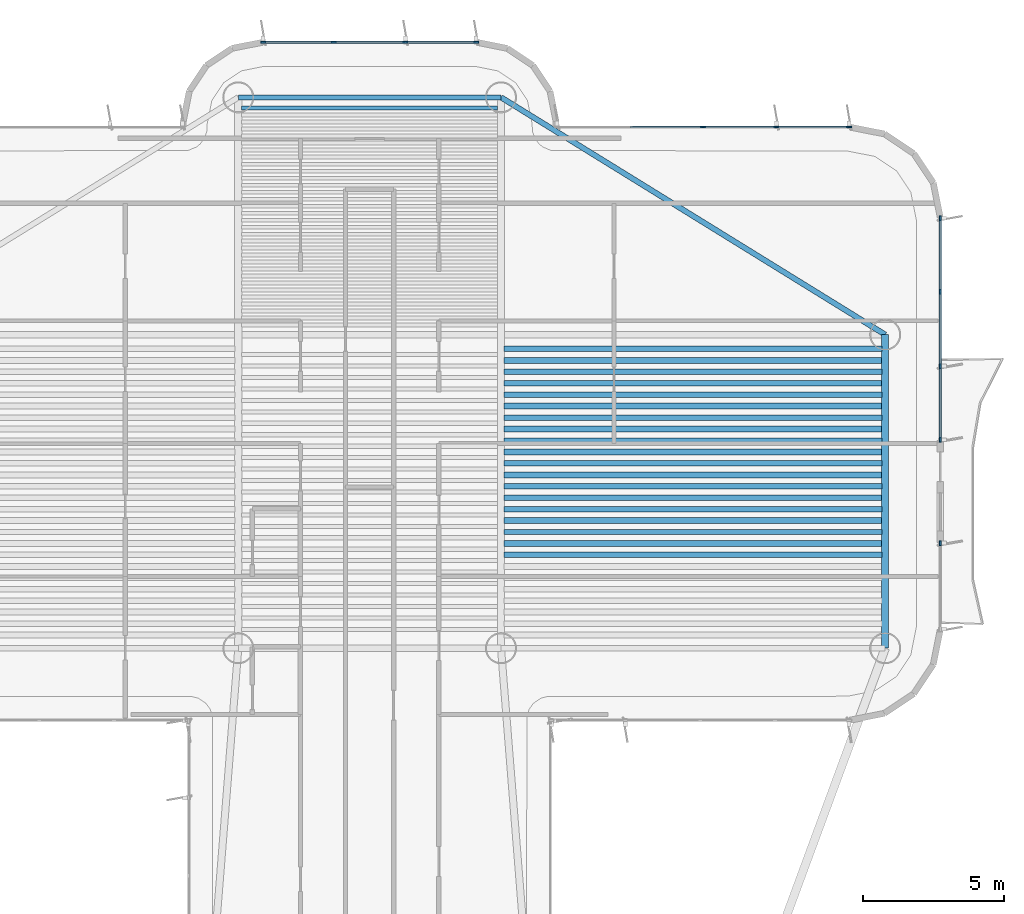
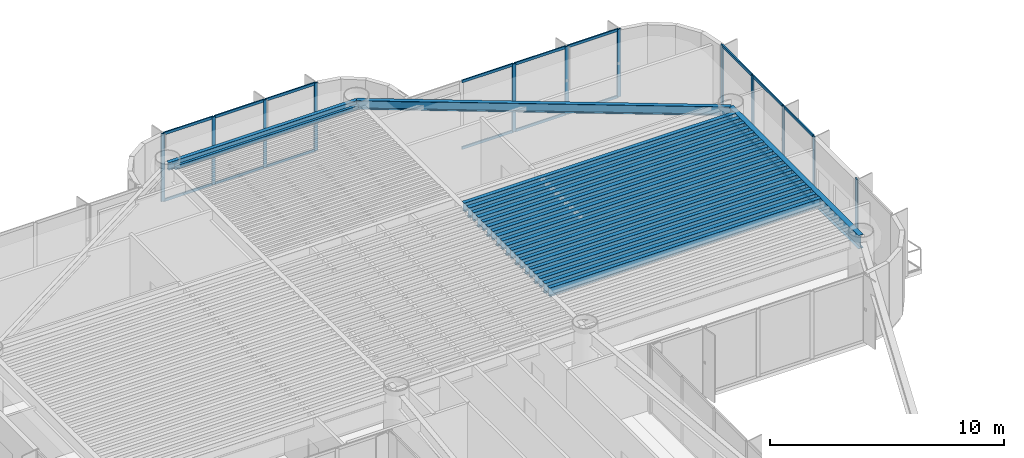
# One storey, part 7 of 14: 30 members, 23 beams, 4 elements without a shape of their own.
"""IFC4 building model written with IfcOpenShell, lengths in metres."""

from ifc_helpers import new_model, si_unit, direction, frame, origin, origin_2d, place, context, subcontext, project, spatial, rectangle, i_section, extrude, source, transform, mapped, material, layer, layer_set, material_profile, profile_set, type_object, element, aggregate, save


model = new_model("IFC4")

# Units and contexts
model_context = context("Model", 3, precision=1e-05, world=origin(), true_north=direction((0.0, 1.0)))
body_context = subcontext(model_context, "Body", "Model", "MODEL_VIEW")
ifc_project = project(units=[si_unit("LENGTHUNIT", "METRE"), si_unit("AREAUNIT", "SQUARE_METRE"), si_unit("VOLUMEUNIT", "CUBIC_METRE"), si_unit("PLANEANGLEUNIT", "RADIAN"), si_unit("MASSUNIT", "GRAM", prefix="KILO")], contexts=[model_context])

# Site, building, storey
site_placement = place(None, origin())
site = spatial("IfcSite", under=ifc_project, at=site_placement, CompositionType="ELEMENT")
building_placement = place(site_placement, origin())
building = spatial("IfcBuilding", under=site, at=building_placement, Name="Brelvock Crest Care Tower", CompositionType="ELEMENT")
storey_placement = place(building_placement, frame((0.0, 0.0, 201.780029296875)))
storey = spatial("IfcBuildingStorey", under=building, at=storey_placement, Name="L51", CompositionType="ELEMENT", Elevation=201.780029296875)

# Beams
ifc_material_1 = material(Name="Steel Grade 350", Category="steel")
ifc_material_profile_1 = material_profile(ifc_material_1, i_section(OverallWidth=0.177978515625, OverallDepth=0.406005859375, WebThickness=0.0078125, FlangeThickness=0.0126953125, FilletRadius=0.011474609375, at=origin_2d()), Name="410UB59.7")
ifc_profile_set_1 = profile_set([ifc_material_profile_1], Name="Steel Grade 350")
beam_type_1 = type_object("IfcBeamType", Name="BM-SP1", PredefinedType="SPANDREL", material=ifc_profile_set_1)
shared_shape_1 = source(origin(), body_context, "Body", "SweptSolid", [
    extrude(i_section(OverallWidth=0.177978515625, OverallDepth=0.406005859375, WebThickness=0.0078125, FlangeThickness=0.0126953125, FilletRadius=0.011474609375, at=origin_2d()), origin(), (0.0, 0.0, 1.0), 9.2998046875),
])
beam_1_placement = place(storey_placement, frame((31.35009765625, 54.449951171875, 3.326904296875), z_axis=(1.0, 0.0, 0.0), x_axis=(0.0, 1.0, 0.0)))
element("IfcBeam", 1, at=beam_1_placement, inside=storey, type_object=beam_type_1, Name="BM-TWR-L51-08", PredefinedType="SPANDREL", context=body_context, shape_type="MappedRepresentation", body=[
    mapped(shared_shape_1, transform((0.0, 0.0, 0.0), x_axis=(1.0, 0.0, 0.0), y_axis=(0.0, 1.0, 0.0), z_axis=(0.0, 0.0, 1.0), scale=1.0)),
])
ifc_material_profile_2 = material_profile(ifc_material_1, i_section(OverallWidth=0.134033203125, OverallDepth=0.20703125, WebThickness=0.00634765625, FlangeThickness=0.009521484375, FilletRadius=0.0087890625, at=origin_2d()), Name="200UB29.8")
ifc_profile_set_2 = profile_set([ifc_material_profile_2], Name="Steel Grade 350")
beam_type_2 = type_object("IfcBeamType", Name="BM-J4", PredefinedType="JOIST", material=ifc_profile_set_2)
shared_shape_2 = source(origin(), body_context, "Body", "SweptSolid", [
    extrude(i_section(OverallWidth=0.134033203125, OverallDepth=0.20703125, WebThickness=0.00634765625, FlangeThickness=0.009521484375, FilletRadius=0.0087890625, at=origin_2d()), origin(), (0.0, 0.0, 1.0), 9.06982421875),
])
beam_2_placement = place(storey_placement, frame((31.465087890625, 54.06787109375, 3.426513671875), z_axis=(1.0, 0.0, 0.0), x_axis=(0.0, 1.0, 0.0)))
element("IfcBeam", 2, at=beam_2_placement, inside=storey, type_object=beam_type_2, Name="BM-JN-L51-32", PredefinedType="JOIST", context=body_context, shape_type="MappedRepresentation", body=[
    mapped(shared_shape_2, transform((0.0, 0.0, 0.0), x_axis=(1.0, 0.0, 0.0), y_axis=(0.0, 1.0, 0.0), z_axis=(0.0, 0.0, 1.0), scale=1.0)),
])
ifc_material_profile_3 = material_profile(ifc_material_1, i_section(OverallWidth=0.208984375, OverallDepth=0.532958984375, WebThickness=0.01025390625, FlangeThickness=0.015625, FilletRadius=0.013916015625, at=origin_2d()), Name="530UB92.4")
ifc_profile_set_3 = profile_set([ifc_material_profile_3], Name="Steel Grade 350")
beam_type_3 = type_object("IfcBeamType", Name="BM-G2", PredefinedType="BEAM", material=ifc_profile_set_3)
shared_shape_3 = source(origin(), body_context, "Body", "SweptSolid", [
    extrude(i_section(OverallWidth=0.208984375, OverallDepth=0.532958984375, WebThickness=0.01025390625, FlangeThickness=0.015625, FilletRadius=0.013916015625, at=origin_2d()), origin(), (0.0, 0.0, 1.0), 13.3701171875),
])
for number, where, z_axis, x_axis, name in (
    (3, (40.764892578125, 38.657470703125, 3.263427734375), (1.0, 0.0, 0.0), (0.0, 1.0, 0.0), "BM-JE-L51-9"),
    (4, (40.764892578125, 39.4677734375, 3.263427734375), (1.0, 0.0, 0.0), (0.0, 1.0, 0.0), "BM-JE-L51-11"),
    (5, (40.764892578125, 40.278076171875, 3.263427734375), (1.0, 0.0, 0.0), (0.0, 1.0, 0.0), "BM-JE-L51-13"),
    (6, (40.764892578125, 41.08837890625, 3.263427734375), (1.0, 0.0, 0.0), (0.0, 1.0, 0.0), "BM-JE-L51-15"),
    (7, (40.764892578125, 41.898681640625, 3.263427734375), (1.0, 0.0, 0.0), (0.0, 1.0, 0.0), "BM-JE-L51-17"),
    (8, (40.764892578125, 42.708984375, 3.263427734375), (1.0, 0.0, 0.0), (0.0, 1.0, 0.0), "BM-JE-L51-19"),
    (9, (40.764892578125, 43.519287109375, 3.263427734375), (1.0, 0.0, 0.0), (0.0, 1.0, 0.0), "BM-JE-L51-21"),
    (10, (40.764892578125, 44.32958984375, 3.263427734375), (1.0, 0.0, 0.0), (0.0, 1.0, 0.0), "BM-JE-L51-23"),
    (11, (40.764892578125, 45.139892578125, 3.263427734375), (1.0, 0.0, 0.0), (0.0, 1.0, 0.0), "BM-JE-L51-25"),
):
    element("IfcBeam", number, at=place(storey_placement, frame(where, z_axis=z_axis, x_axis=x_axis)), inside=storey, type_object=beam_type_3, Name=name, PredefinedType="BEAM", context=body_context, shape_type="MappedRepresentation", body=[
        mapped(shared_shape_3, transform((0.0, 0.0, 0.0), x_axis=(1.0, 0.0, 0.0), y_axis=(0.0, 1.0, 0.0), z_axis=(0.0, 0.0, 1.0), scale=1.0)),
    ])
ifc_material_profile_4 = material_profile(ifc_material_1, i_section(OverallWidth=0.19091796875, OverallDepth=0.4599609375, WebThickness=0.010009765625, FlangeThickness=0.01611328125, FilletRadius=0.011474609375, at=origin_2d()), Name="460UB82.1")
ifc_profile_set_4 = profile_set([ifc_material_profile_4], Name="Steel Grade 350")
beam_type_4 = type_object("IfcBeamType", Name="BM-G3", PredefinedType="BEAM", material=ifc_profile_set_4)
shared_shape_4 = source(origin(), body_context, "Body", "SweptSolid", [
    extrude(i_section(OverallWidth=0.19091796875, OverallDepth=0.4599609375, WebThickness=0.010009765625, FlangeThickness=0.01611328125, FilletRadius=0.011474609375, at=origin_2d()), origin(), (0.0, 0.0, 1.0), 13.3701171875),
])
for number, where, z_axis, x_axis, name in (
    (12, (40.764892578125, 38.252197265625, 3.300048828125), (1.0, 0.0, 0.0), (0.0, 1.0, 0.0), "BM-JE-L51-8"),
    (13, (40.764892578125, 39.0625, 3.300048828125), (1.0, 0.0, 0.0), (0.0, 1.0, 0.0), "BM-JE-L51-10"),
    (14, (40.764892578125, 39.872802734375, 3.300048828125), (1.0, 0.0, 0.0), (0.0, 1.0, 0.0), "BM-JE-L51-12"),
    (15, (40.764892578125, 40.68310546875, 3.300048828125), (1.0, 0.0, 0.0), (0.0, 1.0, 0.0), "BM-JE-L51-14"),
    (16, (40.764892578125, 41.493408203125, 3.300048828125), (1.0, 0.0, 0.0), (0.0, 1.0, 0.0), "BM-JE-L51-16"),
    (17, (40.764892578125, 42.3037109375, 3.300048828125), (1.0, 0.0, 0.0), (0.0, 1.0, 0.0), "BM-JE-L51-18"),
    (18, (40.764892578125, 43.114013671875, 3.300048828125), (1.0, 0.0, 0.0), (0.0, 1.0, 0.0), "BM-JE-L51-20"),
    (19, (40.764892578125, 43.92431640625, 3.300048828125), (1.0, 0.0, 0.0), (0.0, 1.0, 0.0), "BM-JE-L51-22"),
    (20, (40.764892578125, 44.734619140625, 3.300048828125), (1.0, 0.0, 0.0), (0.0, 1.0, 0.0), "BM-JE-L51-24"),
    (21, (40.764892578125, 45.544921875, 3.300048828125), (1.0, 0.0, 0.0), (0.0, 1.0, 0.0), "BM-JE-L51-26"),
):
    element("IfcBeam", number, at=place(storey_placement, frame(where, z_axis=z_axis, x_axis=x_axis)), inside=storey, type_object=beam_type_4, Name=name, PredefinedType="BEAM", context=body_context, shape_type="MappedRepresentation", body=[
        mapped(shared_shape_4, transform((0.0, 0.0, 0.0), x_axis=(1.0, 0.0, 0.0), y_axis=(0.0, 1.0, 0.0), z_axis=(0.0, 0.0, 1.0), scale=1.0)),
    ])
ifc_material_profile_5 = material_profile(ifc_material_1, i_section(OverallWidth=0.25, OverallDepth=0.699951171875, WebThickness=0.011962890625, FlangeThickness=0.02001953125, at=origin_2d()), Name="700WB150")
ifc_profile_set_5 = profile_set([ifc_material_profile_5], Name="Steel Grade 350")
beam_type_5 = type_object("IfcBeamType", Name="BM-G4", PredefinedType="BEAM", material=ifc_profile_set_5)
shared_shape_5 = source(origin(), body_context, "Body", "SweptSolid", [
    extrude(i_section(OverallWidth=0.25, OverallDepth=0.699951171875, WebThickness=0.011962890625, FlangeThickness=0.02001953125, at=origin_2d()), origin(), (0.0, 0.0, 1.0), 11.10009765625),
])
beam_3_placement = place(storey_placement, frame((54.25, 34.949951171875, 3.179931640625), z_axis=(0.0, 1.0, 0.0), x_axis=(-1.0, 0.0, 0.0)))
element("IfcBeam", 22, at=beam_3_placement, inside=storey, type_object=beam_type_5, Name="BM-TWR-L51-02", PredefinedType="BEAM", context=body_context, shape_type="MappedRepresentation", body=[
    mapped(shared_shape_5, transform((0.0, 0.0, 0.0), x_axis=(1.0, 0.0, 0.0), y_axis=(0.0, 1.0, 0.0), z_axis=(0.0, 0.0, 1.0), scale=1.0)),
])
ifc_material_profile_6 = material_profile(ifc_material_1, i_section(OverallWidth=0.19091796875, OverallDepth=0.4599609375, WebThickness=0.010009765625, FlangeThickness=0.01611328125, FilletRadius=0.011474609375, at=origin_2d()), Name="460UB82.1")
ifc_profile_set_6 = profile_set([ifc_material_profile_6], Name="Steel Grade 350")
beam_type_6 = type_object("IfcBeamType", Name="BM-SP2", PredefinedType="SPANDREL", material=ifc_profile_set_6)
shared_shape_6 = source(origin(), body_context, "Body", "SweptSolid", [
    extrude(i_section(OverallWidth=0.19091796875, OverallDepth=0.4599609375, WebThickness=0.010009765625, FlangeThickness=0.01611328125, FilletRadius=0.011474609375, at=origin_2d()), origin(), (0.0, 0.0, 1.0), 15.985107421875),
])
beam_4_placement = place(storey_placement, frame((40.64990234375, 54.449951171875, 3.300048828125), z_axis=(0.850802415717, -0.525485727124, 0.0), x_axis=(0.525485727124, 0.850802415717, 0.0)))
element("IfcBeam", 23, at=beam_4_placement, inside=storey, type_object=beam_type_6, Name="BM-TWR-L51-07", PredefinedType="SPANDREL", context=body_context, shape_type="MappedRepresentation", body=[
    mapped(shared_shape_6, transform((0.0, 0.0, 0.0), x_axis=(1.0, 0.0, 0.0), y_axis=(0.0, 1.0, 0.0), z_axis=(0.0, 0.0, 1.0), scale=1.0)),
])

# Curtain wall, members
ifc_material_2 = material(Name="Dark Glass Double Glazed Low-E", Category="glass")
ifc_layer = layer(ifc_material_2, 0.22509765625, Name="CWS-4")
ifc_layer_set = layer_set([ifc_layer], Name="Dark Glass Double Glazed Low-E")
curtain_wall_type = type_object("IfcCurtainWallType", Name="CWS-4", PredefinedType="NOTDEFINED", material=ifc_layer_set)
curtain_wall_1_placement = place(storey_placement, origin())
curtain_wall_1 = element("IfcCurtainWall", 24, at=curtain_wall_1_placement, inside=storey, type_object=curtain_wall_type, Name="L51 Curtain Wall E28", PredefinedType="NOTDEFINED")
ifc_material_3 = material(Name="Aluminium 6063-T6", Category="aluminium")
ifc_material_profile_7 = material_profile(ifc_material_3, rectangle(XDim=0.06005859375, YDim=0.179931640625, at=origin_2d()), Name="ALU60x180")
ifc_profile_set_7 = profile_set([ifc_material_profile_7], Name="Aluminium 6063-T6")
member_type_1 = type_object("IfcMemberType", Name="CWM-2", PredefinedType="MULLION", material=ifc_profile_set_7)
shared_shape_7 = source(origin(), body_context, "Body", "SweptSolid", [
    extrude(rectangle(XDim=0.06005859375, YDim=0.179931640625, at=origin_2d()), origin(), (0.0, 0.0, 1.0), 3.530029296875),
])
member_1_placement = place(storey_placement, frame((32.22998046875, 56.39990234375, 0.0), z_axis=(0.0, 0.0, 1.0), x_axis=(0.0, 1.0, 0.0)))
member_1 = element("IfcMember", 25, at=member_1_placement, type_object=member_type_1, Name="CW-4 mullion 1", PredefinedType="MULLION", context=body_context, shape_type="MappedRepresentation", body=[
    mapped(shared_shape_7, transform((0.0, 0.0, 0.0), x_axis=(1.0, 0.0, 0.0), y_axis=(0.0, 1.0, 0.0), z_axis=(0.0, 0.0, 1.0), scale=1.0)),
])
member_2_placement = place(storey_placement, frame((34.7333984375, 56.39990234375, 0.0), z_axis=(0.0, 0.0, 1.0), x_axis=(0.0, 1.0, 0.0)))
member_2 = element("IfcMember", 26, at=member_2_placement, type_object=member_type_1, Name="CW-4 mullion 2", PredefinedType="MULLION", context=body_context, shape_type="MappedRepresentation", body=[
    mapped(shared_shape_7, transform((0.0, 0.0, 0.0), x_axis=(1.0, 0.0, 0.0), y_axis=(0.0, 1.0, 0.0), z_axis=(0.0, 0.0, 1.0), scale=1.0)),
])
member_3_placement = place(storey_placement, frame((37.2666015625, 56.39990234375, 0.0), z_axis=(0.0, 0.0, 1.0), x_axis=(0.0, 1.0, 0.0)))
member_3 = element("IfcMember", 27, at=member_3_placement, type_object=member_type_1, Name="CW-4 mullion 3", PredefinedType="MULLION", context=body_context, shape_type="MappedRepresentation", body=[
    mapped(shared_shape_7, transform((0.0, 0.0, 0.0), x_axis=(1.0, 0.0, 0.0), y_axis=(0.0, 1.0, 0.0), z_axis=(0.0, 0.0, 1.0), scale=1.0)),
])
member_4_placement = place(storey_placement, frame((39.77001953125, 56.39990234375, 0.0), z_axis=(0.0, 0.0, 1.0), x_axis=(0.0, 1.0, 0.0)))
member_4 = element("IfcMember", 28, at=member_4_placement, type_object=member_type_1, Name="CW-4 mullion 4", PredefinedType="MULLION", context=body_context, shape_type="MappedRepresentation", body=[
    mapped(shared_shape_7, transform((0.0, 0.0, 0.0), x_axis=(1.0, 0.0, 0.0), y_axis=(0.0, 1.0, 0.0), z_axis=(0.0, 0.0, 1.0), scale=1.0)),
])

curtain_wall_2_placement = place(storey_placement, origin())
curtain_wall_2 = element("IfcCurtainWall", 29, at=curtain_wall_2_placement, inside=storey, type_object=curtain_wall_type, Name="L51 Curtain Wall E34", PredefinedType="NOTDEFINED")
member_5_placement = place(storey_placement, frame((47.800048828125, 53.39990234375, 0.0), z_axis=(0.0, 0.0, 1.0), x_axis=(0.0, 1.0, 0.0)))
member_5 = element("IfcMember", 30, at=member_5_placement, type_object=member_type_1, Name="CW-4 mullion 3", PredefinedType="MULLION", context=body_context, shape_type="MappedRepresentation", body=[
    mapped(shared_shape_7, transform((0.0, 0.0, 0.0), x_axis=(1.0, 0.0, 0.0), y_axis=(0.0, 1.0, 0.0), z_axis=(0.0, 0.0, 1.0), scale=1.0)),
])
member_6_placement = place(storey_placement, frame((50.39990234375, 53.39990234375, 0.0), z_axis=(0.0, 0.0, 1.0), x_axis=(0.0, 1.0, 0.0)))
member_6 = element("IfcMember", 31, at=member_6_placement, type_object=member_type_1, Name="CW-4 mullion 4", PredefinedType="MULLION", context=body_context, shape_type="MappedRepresentation", body=[
    mapped(shared_shape_7, transform((0.0, 0.0, 0.0), x_axis=(1.0, 0.0, 0.0), y_axis=(0.0, 1.0, 0.0), z_axis=(0.0, 0.0, 1.0), scale=1.0)),
])
member_7_placement = place(storey_placement, frame((52.969970703125, 53.39990234375, 0.0), z_axis=(0.0, 0.0, 1.0), x_axis=(0.0, 1.0, 0.0)))
member_7 = element("IfcMember", 32, at=member_7_placement, type_object=member_type_1, Name="CW-4 mullion 5", PredefinedType="MULLION", context=body_context, shape_type="MappedRepresentation", body=[
    mapped(shared_shape_7, transform((0.0, 0.0, 0.0), x_axis=(1.0, 0.0, 0.0), y_axis=(0.0, 1.0, 0.0), z_axis=(0.0, 0.0, 1.0), scale=1.0)),
])

curtain_wall_3_placement = place(storey_placement, origin())
curtain_wall_3 = element("IfcCurtainWall", 33, at=curtain_wall_3_placement, inside=storey, type_object=curtain_wall_type, Name="L51 Curtain Wall E39A", PredefinedType="NOTDEFINED")
member_8_placement = place(storey_placement, frame((56.199951171875, 50.169921875, 0.0), z_axis=(0.0, 0.0, 1.0), x_axis=(1.0, 0.0, 0.0)))
member_8 = element("IfcMember", 34, at=member_8_placement, type_object=member_type_1, Name="CW-4 mullion 1", PredefinedType="MULLION", context=body_context, shape_type="MappedRepresentation", body=[
    mapped(shared_shape_7, transform((0.0, 0.0, 0.0), x_axis=(1.0, 0.0, 0.0), y_axis=(0.0, 1.0, 0.0), z_axis=(0.0, 0.0, 1.0), scale=1.0)),
])
member_9_placement = place(storey_placement, frame((56.199951171875, 47.566650390625, 0.0), z_axis=(0.0, 0.0, 1.0), x_axis=(1.0, 0.0, 0.0)))
member_9 = element("IfcMember", 35, at=member_9_placement, type_object=member_type_1, Name="CW-4 mullion 2", PredefinedType="MULLION", context=body_context, shape_type="MappedRepresentation", body=[
    mapped(shared_shape_7, transform((0.0, 0.0, 0.0), x_axis=(1.0, 0.0, 0.0), y_axis=(0.0, 1.0, 0.0), z_axis=(0.0, 0.0, 1.0), scale=1.0)),
])
member_10_placement = place(storey_placement, frame((56.199951171875, 44.933349609375, 0.0), z_axis=(0.0, 0.0, 1.0), x_axis=(1.0, 0.0, 0.0)))
member_10 = element("IfcMember", 36, at=member_10_placement, type_object=member_type_1, Name="CW-4 mullion 3", PredefinedType="MULLION", context=body_context, shape_type="MappedRepresentation", body=[
    mapped(shared_shape_7, transform((0.0, 0.0, 0.0), x_axis=(1.0, 0.0, 0.0), y_axis=(0.0, 1.0, 0.0), z_axis=(0.0, 0.0, 1.0), scale=1.0)),
])
member_11_placement = place(storey_placement, frame((56.199951171875, 42.330078125, 0.0), z_axis=(0.0, 0.0, 1.0), x_axis=(1.0, 0.0, 0.0)))
member_11 = element("IfcMember", 37, at=member_11_placement, type_object=member_type_1, Name="CW-4 mullion 4", PredefinedType="MULLION", context=body_context, shape_type="MappedRepresentation", body=[
    mapped(shared_shape_7, transform((0.0, 0.0, 0.0), x_axis=(1.0, 0.0, 0.0), y_axis=(0.0, 1.0, 0.0), z_axis=(0.0, 0.0, 1.0), scale=1.0)),
])

# Curtain wall, member
curtain_wall_4_placement = place(storey_placement, origin())
curtain_wall_4 = element("IfcCurtainWall", 38, at=curtain_wall_4_placement, inside=storey, type_object=curtain_wall_type, Name="L51 Curtain Wall E39B", PredefinedType="NOTDEFINED")
member_12_placement = place(storey_placement, frame((56.199951171875, 38.669921875, 0.0), z_axis=(0.0, 0.0, 1.0), x_axis=(1.0, 0.0, 0.0)))
member_12 = element("IfcMember", 39, at=member_12_placement, type_object=member_type_1, Name="CW-4 mullion 1", PredefinedType="MULLION", context=body_context, shape_type="MappedRepresentation", body=[
    mapped(shared_shape_7, transform((0.0, 0.0, 0.0), x_axis=(1.0, 0.0, 0.0), y_axis=(0.0, 1.0, 0.0), z_axis=(0.0, 0.0, 1.0), scale=1.0)),
])
aggregate(curtain_wall_4, [member_12])

# Member
ifc_material_profile_8 = material_profile(ifc_material_3, rectangle(XDim=0.06005859375, YDim=0.139892578125, at=origin_2d()), Name="ALU60x140")
ifc_profile_set_8 = profile_set([ifc_material_profile_8], Name="Aluminium 6063-T6")
member_type_2 = type_object("IfcMemberType", Name="CWT-2", PredefinedType="USERDEFINED", material=ifc_profile_set_8)
shared_shape_8 = source(origin(), body_context, "Body", "SweptSolid", [
    extrude(rectangle(XDim=0.06005859375, YDim=0.139892578125, at=origin_2d()), origin(), (0.0, 0.0, 1.0), 2.443359375),
])
member_13_placement = place(storey_placement, frame((32.260009765625, 56.39990234375, 0.030029296875), z_axis=(1.0, 0.0, 0.0), x_axis=(0.0, 1.0, 0.0)))
member_13 = element("IfcMember", 40, at=member_13_placement, type_object=member_type_2, Name="CW-4 transom 1.1", ObjectType="TRANSOM", PredefinedType="USERDEFINED", context=body_context, shape_type="MappedRepresentation", body=[
    mapped(shared_shape_8, transform((0.0, 0.0, 0.0), x_axis=(1.0, 0.0, 0.0), y_axis=(0.0, 1.0, 0.0), z_axis=(0.0, 0.0, 1.0), scale=1.0)),
])

member_14_placement = place(storey_placement, frame((32.260009765625, 56.39990234375, 3.5), z_axis=(1.0, 0.0, 0.0), x_axis=(0.0, 1.0, 0.0)))
member_14 = element("IfcMember", 41, at=member_14_placement, type_object=member_type_2, Name="CW-4 transom 1.2", ObjectType="TRANSOM", PredefinedType="USERDEFINED", context=body_context, shape_type="MappedRepresentation", body=[
    mapped(shared_shape_8, transform((0.0, 0.0, 0.0), x_axis=(1.0, 0.0, 0.0), y_axis=(0.0, 1.0, 0.0), z_axis=(0.0, 0.0, 1.0), scale=1.0)),
])

member_15_placement = place(storey_placement, frame((37.296630859375, 56.39990234375, 0.030029296875), z_axis=(1.0, 0.0, 0.0), x_axis=(0.0, 1.0, 0.0)))
member_15 = element("IfcMember", 42, at=member_15_placement, type_object=member_type_2, Name="CW-4 transom 3.1", ObjectType="TRANSOM", PredefinedType="USERDEFINED", context=body_context, shape_type="MappedRepresentation", body=[
    mapped(shared_shape_8, transform((0.0, 0.0, 0.0), x_axis=(1.0, 0.0, 0.0), y_axis=(0.0, 1.0, 0.0), z_axis=(0.0, 0.0, 1.0), scale=1.0)),
])

member_16_placement = place(storey_placement, frame((37.296630859375, 56.39990234375, 3.5), z_axis=(1.0, 0.0, 0.0), x_axis=(0.0, 1.0, 0.0)))
member_16 = element("IfcMember", 43, at=member_16_placement, type_object=member_type_2, Name="CW-4 transom 3.2", ObjectType="TRANSOM", PredefinedType="USERDEFINED", context=body_context, shape_type="MappedRepresentation", body=[
    mapped(shared_shape_8, transform((0.0, 0.0, 0.0), x_axis=(1.0, 0.0, 0.0), y_axis=(0.0, 1.0, 0.0), z_axis=(0.0, 0.0, 1.0), scale=1.0)),
])

shared_shape_9 = source(origin(), body_context, "Body", "SweptSolid", [
    extrude(rectangle(XDim=0.06005859375, YDim=0.139892578125, at=origin_2d()), origin(), (0.0, 0.0, 1.0), 2.47314453125),
])
member_17_placement = place(storey_placement, frame((34.763427734375, 56.39990234375, 0.030029296875), z_axis=(1.0, 0.0, 0.0), x_axis=(0.0, 1.0, 0.0)))
member_17 = element("IfcMember", 44, at=member_17_placement, type_object=member_type_2, Name="CW-4 transom 2.1", ObjectType="TRANSOM", PredefinedType="USERDEFINED", context=body_context, shape_type="MappedRepresentation", body=[
    mapped(shared_shape_9, transform((0.0, 0.0, 0.0), x_axis=(1.0, 0.0, 0.0), y_axis=(0.0, 1.0, 0.0), z_axis=(0.0, 0.0, 1.0), scale=1.0)),
])

member_18_placement = place(storey_placement, frame((34.763427734375, 56.39990234375, 3.5), z_axis=(1.0, 0.0, 0.0), x_axis=(0.0, 1.0, 0.0)))
member_18 = element("IfcMember", 45, at=member_18_placement, type_object=member_type_2, Name="CW-4 transom 2.2", ObjectType="TRANSOM", PredefinedType="USERDEFINED", context=body_context, shape_type="MappedRepresentation", body=[
    mapped(shared_shape_9, transform((0.0, 0.0, 0.0), x_axis=(1.0, 0.0, 0.0), y_axis=(0.0, 1.0, 0.0), z_axis=(0.0, 0.0, 1.0), scale=1.0)),
])

aggregate(curtain_wall_1, [member_1, member_2, member_3, member_4, member_13, member_14, member_17, member_18, member_15, member_16])

shared_shape_10 = source(origin(), body_context, "Body", "SweptSolid", [
    extrude(rectangle(XDim=0.06005859375, YDim=0.139892578125, at=origin_2d()), origin(), (0.0, 0.0, 1.0), 2.510009765625),
])
member_19_placement = place(storey_placement, frame((50.429931640625, 53.39990234375, 0.030029296875), z_axis=(1.0, 0.0, 0.0), x_axis=(0.0, 1.0, 0.0)))
member_19 = element("IfcMember", 46, at=member_19_placement, type_object=member_type_2, Name="CW-4 transom 4.1", ObjectType="TRANSOM", PredefinedType="USERDEFINED", context=body_context, shape_type="MappedRepresentation", body=[
    mapped(shared_shape_10, transform((0.0, 0.0, 0.0), x_axis=(1.0, 0.0, 0.0), y_axis=(0.0, 1.0, 0.0), z_axis=(0.0, 0.0, 1.0), scale=1.0)),
])

member_20_placement = place(storey_placement, frame((50.429931640625, 53.39990234375, 3.5), z_axis=(1.0, 0.0, 0.0), x_axis=(0.0, 1.0, 0.0)))
member_20 = element("IfcMember", 47, at=member_20_placement, type_object=member_type_2, Name="CW-4 transom 4.2", ObjectType="TRANSOM", PredefinedType="USERDEFINED", context=body_context, shape_type="MappedRepresentation", body=[
    mapped(shared_shape_10, transform((0.0, 0.0, 0.0), x_axis=(1.0, 0.0, 0.0), y_axis=(0.0, 1.0, 0.0), z_axis=(0.0, 0.0, 1.0), scale=1.0)),
])

shared_shape_11 = source(origin(), body_context, "Body", "SweptSolid", [
    extrude(rectangle(XDim=0.06005859375, YDim=0.139892578125, at=origin_2d()), origin(), (0.0, 0.0, 1.0), 2.5400390625),
])
member_21_placement = place(storey_placement, frame((45.22998046875, 53.39990234375, 0.030029296875), z_axis=(1.0, 0.0, 0.0), x_axis=(0.0, 1.0, 0.0)))
member_21 = element("IfcMember", 48, at=member_21_placement, type_object=member_type_2, Name="CW-4 transom 2.1", ObjectType="TRANSOM", PredefinedType="USERDEFINED", context=body_context, shape_type="MappedRepresentation", body=[
    mapped(shared_shape_11, transform((0.0, 0.0, 0.0), x_axis=(1.0, 0.0, 0.0), y_axis=(0.0, 1.0, 0.0), z_axis=(0.0, 0.0, 1.0), scale=1.0)),
])

member_22_placement = place(storey_placement, frame((45.22998046875, 53.39990234375, 3.5), z_axis=(1.0, 0.0, 0.0), x_axis=(0.0, 1.0, 0.0)))
member_22 = element("IfcMember", 49, at=member_22_placement, type_object=member_type_2, Name="CW-4 transom 2.2", ObjectType="TRANSOM", PredefinedType="USERDEFINED", context=body_context, shape_type="MappedRepresentation", body=[
    mapped(shared_shape_11, transform((0.0, 0.0, 0.0), x_axis=(1.0, 0.0, 0.0), y_axis=(0.0, 1.0, 0.0), z_axis=(0.0, 0.0, 1.0), scale=1.0)),
])

member_23_placement = place(storey_placement, frame((47.830078125, 53.39990234375, 0.030029296875), z_axis=(1.0, 0.0, 0.0), x_axis=(0.0, 1.0, 0.0)))
member_23 = element("IfcMember", 50, at=member_23_placement, type_object=member_type_2, Name="CW-4 transom 3.1", ObjectType="TRANSOM", PredefinedType="USERDEFINED", context=body_context, shape_type="MappedRepresentation", body=[
    mapped(shared_shape_11, transform((0.0, 0.0, 0.0), x_axis=(1.0, 0.0, 0.0), y_axis=(0.0, 1.0, 0.0), z_axis=(0.0, 0.0, 1.0), scale=1.0)),
])

member_24_placement = place(storey_placement, frame((47.830078125, 53.39990234375, 3.5), z_axis=(1.0, 0.0, 0.0), x_axis=(0.0, 1.0, 0.0)))
member_24 = element("IfcMember", 51, at=member_24_placement, type_object=member_type_2, Name="CW-4 transom 3.2", ObjectType="TRANSOM", PredefinedType="USERDEFINED", context=body_context, shape_type="MappedRepresentation", body=[
    mapped(shared_shape_11, transform((0.0, 0.0, 0.0), x_axis=(1.0, 0.0, 0.0), y_axis=(0.0, 1.0, 0.0), z_axis=(0.0, 0.0, 1.0), scale=1.0)),
])

aggregate(curtain_wall_2, [member_5, member_6, member_7, member_21, member_22, member_23, member_24, member_19, member_20])

shared_shape_12 = source(origin(), body_context, "Body", "SweptSolid", [
    extrude(rectangle(XDim=0.06005859375, YDim=0.139892578125, at=origin_2d()), origin(), (0.0, 0.0, 1.0), 2.543212890625),
])
member_25_placement = place(storey_placement, frame((56.199951171875, 50.139892578125, 0.030029296875), z_axis=(0.0, -1.0, 0.0), x_axis=(1.0, 0.0, 0.0)))
member_25 = element("IfcMember", 52, at=member_25_placement, type_object=member_type_2, Name="CW-4 transom 1.1", ObjectType="TRANSOM", PredefinedType="USERDEFINED", context=body_context, shape_type="MappedRepresentation", body=[
    mapped(shared_shape_12, transform((0.0, 0.0, 0.0), x_axis=(1.0, 0.0, 0.0), y_axis=(0.0, 1.0, 0.0), z_axis=(0.0, 0.0, 1.0), scale=1.0)),
])

member_26_placement = place(storey_placement, frame((56.199951171875, 50.139892578125, 3.5), z_axis=(0.0, -1.0, 0.0), x_axis=(1.0, 0.0, 0.0)))
member_26 = element("IfcMember", 53, at=member_26_placement, type_object=member_type_2, Name="CW-4 transom 1.2", ObjectType="TRANSOM", PredefinedType="USERDEFINED", context=body_context, shape_type="MappedRepresentation", body=[
    mapped(shared_shape_12, transform((0.0, 0.0, 0.0), x_axis=(1.0, 0.0, 0.0), y_axis=(0.0, 1.0, 0.0), z_axis=(0.0, 0.0, 1.0), scale=1.0)),
])

member_27_placement = place(storey_placement, frame((56.199951171875, 44.9033203125, 0.030029296875), z_axis=(0.0, -1.0, 0.0), x_axis=(1.0, 0.0, 0.0)))
member_27 = element("IfcMember", 54, at=member_27_placement, type_object=member_type_2, Name="CW-4 transom 3.1", ObjectType="TRANSOM", PredefinedType="USERDEFINED", context=body_context, shape_type="MappedRepresentation", body=[
    mapped(shared_shape_12, transform((0.0, 0.0, 0.0), x_axis=(1.0, 0.0, 0.0), y_axis=(0.0, 1.0, 0.0), z_axis=(0.0, 0.0, 1.0), scale=1.0)),
])

member_28_placement = place(storey_placement, frame((56.199951171875, 44.9033203125, 3.5), z_axis=(0.0, -1.0, 0.0), x_axis=(1.0, 0.0, 0.0)))
member_28 = element("IfcMember", 55, at=member_28_placement, type_object=member_type_2, Name="CW-4 transom 3.2", ObjectType="TRANSOM", PredefinedType="USERDEFINED", context=body_context, shape_type="MappedRepresentation", body=[
    mapped(shared_shape_12, transform((0.0, 0.0, 0.0), x_axis=(1.0, 0.0, 0.0), y_axis=(0.0, 1.0, 0.0), z_axis=(0.0, 0.0, 1.0), scale=1.0)),
])

shared_shape_13 = source(origin(), body_context, "Body", "SweptSolid", [
    extrude(rectangle(XDim=0.06005859375, YDim=0.139892578125, at=origin_2d()), origin(), (0.0, 0.0, 1.0), 2.5732421875),
])
member_29_placement = place(storey_placement, frame((56.199951171875, 47.53662109375, 0.030029296875), z_axis=(0.0, -1.0, 0.0), x_axis=(1.0, 0.0, 0.0)))
member_29 = element("IfcMember", 56, at=member_29_placement, type_object=member_type_2, Name="CW-4 transom 2.1", ObjectType="TRANSOM", PredefinedType="USERDEFINED", context=body_context, shape_type="MappedRepresentation", body=[
    mapped(shared_shape_13, transform((0.0, 0.0, 0.0), x_axis=(1.0, 0.0, 0.0), y_axis=(0.0, 1.0, 0.0), z_axis=(0.0, 0.0, 1.0), scale=1.0)),
])

member_30_placement = place(storey_placement, frame((56.199951171875, 47.53662109375, 3.5), z_axis=(0.0, -1.0, 0.0), x_axis=(1.0, 0.0, 0.0)))
member_30 = element("IfcMember", 57, at=member_30_placement, type_object=member_type_2, Name="CW-4 transom 2.2", ObjectType="TRANSOM", PredefinedType="USERDEFINED", context=body_context, shape_type="MappedRepresentation", body=[
    mapped(shared_shape_13, transform((0.0, 0.0, 0.0), x_axis=(1.0, 0.0, 0.0), y_axis=(0.0, 1.0, 0.0), z_axis=(0.0, 0.0, 1.0), scale=1.0)),
])

aggregate(curtain_wall_3, [member_8, member_9, member_10, member_11, member_25, member_26, member_29, member_30, member_27, member_28])

save(model, "model.ifc")
